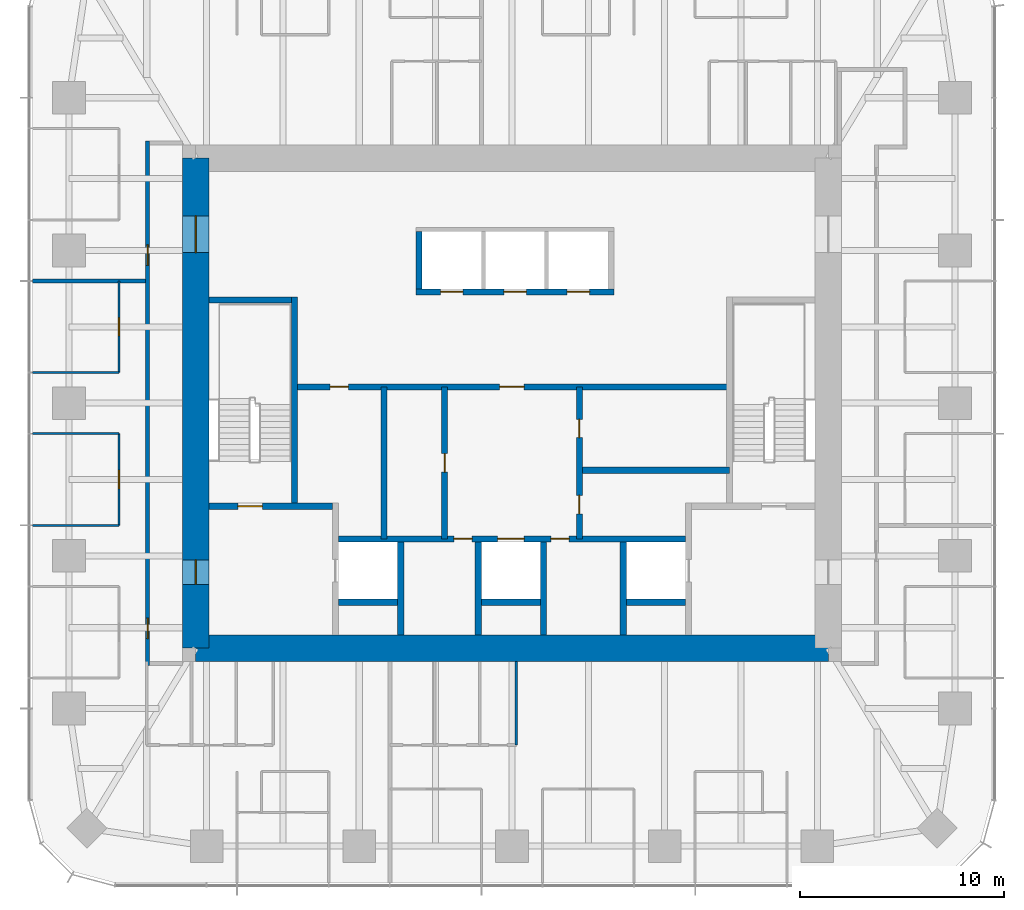
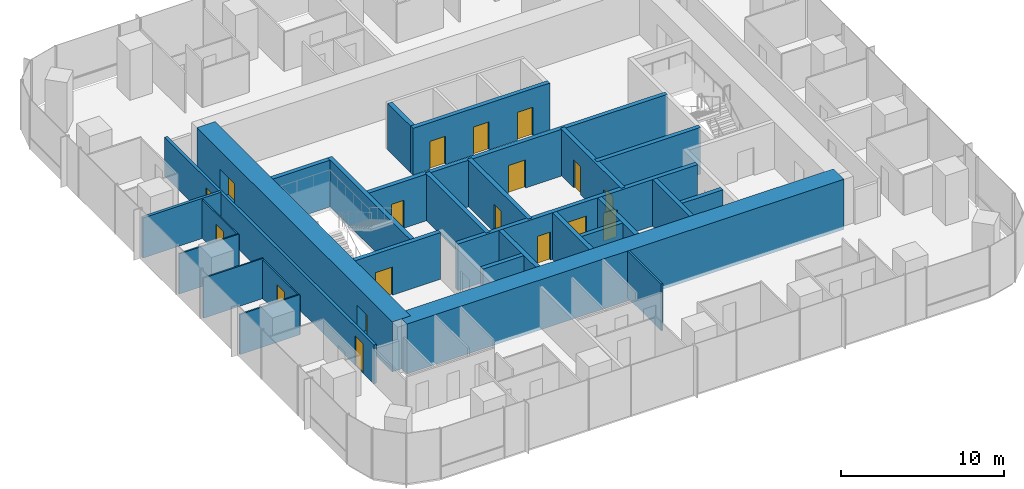
# One storey, part 9 of 12: 28 walls, 18 doors, 18 openings.
"""IFC4 building model written with IfcOpenShell, lengths in metres."""

from ifc_helpers import new_model, si_unit, direction, frame, frame_2d, origin, place, context, subcontext, project, spatial, rectangle, extrude, material, layer, layer_set, type_object, element, fill, save


model = new_model("IFC4")

# Units and contexts
model_context = context("Model", 3, precision=1e-05, world=origin(), true_north=direction((0.0, 1.0)))
body_context = subcontext(model_context, "Body", "Model", "MODEL_VIEW")
ifc_project = project(units=[si_unit("LENGTHUNIT", "METRE"), si_unit("AREAUNIT", "SQUARE_METRE"), si_unit("VOLUMEUNIT", "CUBIC_METRE"), si_unit("PLANEANGLEUNIT", "RADIAN"), si_unit("MASSUNIT", "GRAM", prefix="KILO")], contexts=[model_context])

# Site, building, storey
site_placement = place(None, origin())
site = spatial("IfcSite", under=ifc_project, at=site_placement, CompositionType="ELEMENT")
building_placement = place(site_placement, origin())
building = spatial("IfcBuilding", under=site, at=building_placement, Name="Khuree Lantern Residences", CompositionType="ELEMENT")
storey_placement = place(building_placement, frame((0.0, 0.0, 304.5)))
storey = spatial("IfcBuildingStorey", under=building, at=storey_placement, Name="L76", CompositionType="ELEMENT", Elevation=304.5)

# Wall
ifc_material_1 = material(Name="Moisture-resistant gypsum board on steel studs", Category="steel")
ifc_layer_1 = layer(ifc_material_1, 0.125)
ifc_layer_set_1 = layer_set([ifc_layer_1], Name="BATHROOM WALL BTW125")
wall_type_1 = type_object("IfcWallType", Name="BATHROOM WALL BTW125", PredefinedType="PARTITIONING", material=ifc_layer_set_1)
wall_1_placement = place(storey_placement, frame((0.216064453125, -12.64990234375, 0.0), z_axis=(0.0, 0.0, 1.0), x_axis=(0.0, -1.0, 0.0)))
element("IfcWall", 1, at=wall_1_placement, inside=storey, type_object=wall_type_1, Name="L76 BATHROOM WALL 04", PredefinedType="PARTITIONING", context=body_context, shape_type="SweptSolid", body=[
    extrude(rectangle(XDim=4.096435546875, YDim=0.125, at=frame_2d((2.04833984375, 0.0))), origin(), (0.0, 0.0, 1.0), 3.5),
])

# Wall, openings, doors
ifc_material_2 = material(Name="Dense concrete blockwork", Category="masonry")
ifc_layer_2 = layer(ifc_material_2, 0.300048828125)
ifc_layer_set_2 = layer_set([ifc_layer_2], Name="CORE PARTITION WALL CPW300 EI 120")
wall_type_2 = type_object("IfcWallType", Name="CORE PARTITION WALL CPW300 EI 120", PredefinedType="PARTITIONING", material=ifc_layer_set_2)
wall_2_placement = place(storey_placement, frame((-8.5, -6.64990234375, 0.0), z_axis=(0.0, 0.0, 1.0), x_axis=(1.0, 0.0, 0.0)))
wall_2 = element("IfcWall", 2, at=wall_2_placement, inside=storey, type_object=wall_type_2, Name="L76 CORE WALL FLROW", PredefinedType="PARTITIONING", context=body_context, shape_type="SweptSolid", body=[
    extrude(rectangle(XDim=17.0, YDim=0.300048828125, at=frame_2d((8.5, 0.0))), origin(), (0.0, 0.0, 1.0), 3.5),
])
opening_1_placement = place(wall_2_placement, frame((7.800048828125, 0.0, 0.0)))
opening_1 = element("IfcOpeningElement", 3, at=opening_1_placement, cuts=wall_2, Name="Opening 76-012", PredefinedType="OPENING", context=body_context, shape_type="SweptSolid", body=[
    extrude(rectangle(XDim=1.300048828125, YDim=2.39990234375, at=frame_2d((0.64990234375, 1.199951171875))), frame((0.0, 0.16015625, 0.0), z_axis=(0.0, -1.0, 0.0), x_axis=(1.0, 0.0, 0.0)), (0.0, 0.0, 1.0), 0.320068359375),
])
opening_2_placement = place(wall_2_placement, frame((5.64990234375, 0.0, 0.0)))
opening_2 = element("IfcOpeningElement", 4, at=opening_2_placement, cuts=wall_2, Name="Opening 76-014", PredefinedType="OPENING", context=body_context, shape_type="SweptSolid", body=[
    extrude(rectangle(XDim=0.89990234375, YDim=2.10009765625, at=frame_2d((0.449951171875, 1.050048828125))), frame((0.0, 0.16015625, 0.0), z_axis=(0.0, -1.0, 0.0), x_axis=(1.0, 0.0, 0.0)), (0.0, 0.0, 1.0), 0.320068359375),
])
opening_3_placement = place(wall_2_placement, frame((10.39990234375, 0.0, 0.0)))
opening_3 = element("IfcOpeningElement", 5, at=opening_3_placement, cuts=wall_2, Name="Opening 76-015", PredefinedType="OPENING", context=body_context, shape_type="SweptSolid", body=[
    extrude(rectangle(XDim=0.89990234375, YDim=2.10009765625, at=frame_2d((0.449951171875, 1.050048828125))), frame((0.0, 0.16015625, 0.0), z_axis=(0.0, -1.0, 0.0), x_axis=(1.0, 0.0, 0.0)), (0.0, 0.0, 1.0), 0.320068359375),
])
ifc_material_3 = material(Name="Steel door leaf in steel frame", Category="steel")
door_type_1 = type_object("IfcDoorType", Name="DOOR 900X2100 EI 60", OperationType="SINGLE_SWING_LEFT", PredefinedType="DOOR", material=ifc_material_3)
door_1_placement = place(opening_2_placement, origin())
door_1 = element("IfcDoor", 6, at=door_1_placement, inside=storey, type_object=door_type_1, Name="Refuse chute room door 76-014", OperationType="SINGLE_SWING_LEFT", OverallHeight=2.10009765625, OverallWidth=0.89990234375, PredefinedType="DOOR", context=body_context, shape_type="SweptSolid", body=[
    extrude(rectangle(XDim=0.89990234375, YDim=2.10009765625, at=frame_2d((0.449951171875, 1.050048828125))), frame((0.0, 0.02490234375, 0.0), z_axis=(0.0, -1.0, 0.0), x_axis=(1.0, 0.0, 0.0)), (0.0, 0.0, 1.0), 0.050048828125),
])
fill(opening_2, door_1)
door_type_2 = type_object("IfcDoorType", Name="DOOR 900X2100 EI 60 RIGHT HAND", OperationType="SINGLE_SWING_RIGHT", PredefinedType="DOOR", material=ifc_material_3)
door_2_placement = place(opening_3_placement, origin())
door_2 = element("IfcDoor", 7, at=door_2_placement, inside=storey, type_object=door_type_2, Name="Electrical and plumbing riser door 76-015", OperationType="SINGLE_SWING_RIGHT", OverallHeight=2.10009765625, OverallWidth=0.89990234375, PredefinedType="DOOR", context=body_context, shape_type="SweptSolid", body=[
    extrude(rectangle(XDim=0.89990234375, YDim=2.10009765625, at=frame_2d((0.449951171875, 1.050048828125))), frame((0.0, 0.02490234375, 0.0), z_axis=(0.0, -1.0, 0.0), x_axis=(1.0, 0.0, 0.0)), (0.0, 0.0, 1.0), 0.050048828125),
])
fill(opening_3, door_2)
ifc_material_4 = material(Name="Stainless steel lift landing door", Category="steel")
door_type_3 = type_object("IfcDoorType", Name="LIFT LANDING DOOR 1300X2400 E 60", OperationType="DOUBLE_DOOR_SLIDING", PredefinedType="DOOR", material=ifc_material_4)
door_3_placement = place(opening_1_placement, origin())
door_3 = element("IfcDoor", 8, at=door_3_placement, inside=storey, type_object=door_type_3, Name="Landing door SL1 76-012", OperationType="DOUBLE_DOOR_SLIDING", OverallHeight=2.39990234375, OverallWidth=1.300048828125, PredefinedType="DOOR", context=body_context, shape_type="SweptSolid", body=[
    extrude(rectangle(XDim=1.300048828125, YDim=2.39990234375, at=frame_2d((0.64990234375, 1.199951171875))), frame((0.0, 0.02490234375, 0.0), z_axis=(0.0, -1.0, 0.0), x_axis=(1.0, 0.0, 0.0)), (0.0, 0.0, 1.0), 0.050048828125),
])
fill(opening_1, door_3)

# Walls
for number, where, z_axis, x_axis, name in (
    (9, (-5.449951171875, -11.35009765625, 0.0), (0.0, 0.0, 1.0), (0.0, 1.0, 0.0), "L76 CORE WALL FL1E"),
    (10, (-1.64990234375, -11.35009765625, 0.0), (0.0, 0.0, 1.0), (0.0, 1.0, 0.0), "L76 CORE WALL SL1W"),
    (11, (1.550048828125, -11.35009765625, 0.0), (0.0, 0.0, 1.0), (0.0, 1.0, 0.0), "L76 CORE WALL SL1E"),
    (12, (5.449951171875, -11.35009765625, 0.0), (0.0, 0.0, 1.0), (0.0, 1.0, 0.0), "L76 CORE WALL FL2W"),
):
    element("IfcWall", number, at=place(storey_placement, frame(where, z_axis=z_axis, x_axis=x_axis)), inside=storey, type_object=wall_type_2, Name=name, PredefinedType="PARTITIONING", context=body_context, shape_type="SweptSolid", body=[
        extrude(rectangle(XDim=4.550048828125, YDim=0.300048828125, at=frame_2d((2.27490234375, 0.0))), origin(), (0.0, 0.0, 1.0), 3.5),
    ])
for number, where, z_axis, x_axis, name in (
    (13, (-8.5, -9.75, 0.0), (0.0, 0.0, 1.0), (1.0, 0.0, 0.0), "L76 CORE WALL FL1S"),
    (14, (-1.5, -9.75, 0.0), (0.0, 0.0, 1.0), (1.0, 0.0, 0.0), "L76 CORE WALL SL1S"),
    (15, (5.60009765625, -9.75, 0.0), (0.0, 0.0, 1.0), (1.0, 0.0, 0.0), "L76 CORE WALL FL2S"),
):
    element("IfcWall", number, at=place(storey_placement, frame(where, z_axis=z_axis, x_axis=x_axis)), inside=storey, type_object=wall_type_2, Name=name, PredefinedType="PARTITIONING", context=body_context, shape_type="SweptSolid", body=[
        extrude(rectangle(XDim=2.89990234375, YDim=0.300048828125, at=frame_2d((1.449951171875, 0.0))), origin(), (0.0, 0.0, 1.0), 3.5),
    ])

# Wall, openings, doors
wall_3_placement = place(storey_placement, frame((-4.699951171875, 5.449951171875, 0.0), z_axis=(0.0, 0.0, 1.0), x_axis=(1.0, 0.0, 0.0)))
wall_3 = element("IfcWall", 16, at=wall_3_placement, inside=storey, type_object=wall_type_2, Name="L76 CORE WALL PHS", PredefinedType="PARTITIONING", context=body_context, shape_type="SweptSolid", body=[
    extrude(rectangle(XDim=9.699951171875, YDim=0.300048828125, at=frame_2d((4.85009765625, 0.0))), origin(), (0.0, 0.0, 1.0), 3.5),
])
opening_4_placement = place(wall_3_placement, frame((1.199951171875, 0.0, 0.0)))
opening_4 = element("IfcOpeningElement", 17, at=opening_4_placement, cuts=wall_3, Name="Opening 76-009", PredefinedType="OPENING", context=body_context, shape_type="SweptSolid", body=[
    extrude(rectangle(XDim=1.10009765625, YDim=2.10009765625, at=frame_2d((0.550048828125, 1.050048828125))), frame((0.0, 0.16015625, 0.0), z_axis=(0.0, -1.0, 0.0), x_axis=(1.0, 0.0, 0.0)), (0.0, 0.0, 1.0), 0.320068359375),
])
opening_5_placement = place(wall_3_placement, frame((4.300048828125, 0.0, 0.0)))
opening_5 = element("IfcOpeningElement", 18, at=opening_5_placement, cuts=wall_3, Name="Opening 76-010", PredefinedType="OPENING", context=body_context, shape_type="SweptSolid", body=[
    extrude(rectangle(XDim=1.10009765625, YDim=2.10009765625, at=frame_2d((0.550048828125, 1.050048828125))), frame((0.0, 0.16015625, 0.0), z_axis=(0.0, -1.0, 0.0), x_axis=(1.0, 0.0, 0.0)), (0.0, 0.0, 1.0), 0.320068359375),
])
opening_6_placement = place(wall_3_placement, frame((7.39990234375, 0.0, 0.0)))
opening_6 = element("IfcOpeningElement", 19, at=opening_6_placement, cuts=wall_3, Name="Opening 76-011", PredefinedType="OPENING", context=body_context, shape_type="SweptSolid", body=[
    extrude(rectangle(XDim=1.10009765625, YDim=2.10009765625, at=frame_2d((0.550048828125, 1.050048828125))), frame((0.0, 0.16015625, 0.0), z_axis=(0.0, -1.0, 0.0), x_axis=(1.0, 0.0, 0.0)), (0.0, 0.0, 1.0), 0.320068359375),
])
door_type_4 = type_object("IfcDoorType", Name="LIFT LANDING DOOR 1100X2100 E 60", OperationType="DOUBLE_DOOR_SLIDING", PredefinedType="DOOR", material=ifc_material_4)
door_4_placement = place(opening_4_placement, origin())
door_4 = element("IfcDoor", 20, at=door_4_placement, inside=storey, type_object=door_type_4, Name="Landing door PH1 76-009", OperationType="DOUBLE_DOOR_SLIDING", OverallHeight=2.10009765625, OverallWidth=1.10009765625, PredefinedType="DOOR", context=body_context, shape_type="SweptSolid", body=[
    extrude(rectangle(XDim=1.10009765625, YDim=2.10009765625, at=frame_2d((0.550048828125, 1.050048828125))), frame((0.0, 0.02490234375, 0.0), z_axis=(0.0, -1.0, 0.0), x_axis=(1.0, 0.0, 0.0)), (0.0, 0.0, 1.0), 0.050048828125),
])
fill(opening_4, door_4)
door_5_placement = place(opening_5_placement, origin())
door_5 = element("IfcDoor", 21, at=door_5_placement, inside=storey, type_object=door_type_4, Name="Landing door PH2 76-010", OperationType="DOUBLE_DOOR_SLIDING", OverallHeight=2.10009765625, OverallWidth=1.10009765625, PredefinedType="DOOR", context=body_context, shape_type="SweptSolid", body=[
    extrude(rectangle(XDim=1.10009765625, YDim=2.10009765625, at=frame_2d((0.550048828125, 1.050048828125))), frame((0.0, 0.02490234375, 0.0), z_axis=(0.0, -1.0, 0.0), x_axis=(1.0, 0.0, 0.0)), (0.0, 0.0, 1.0), 0.050048828125),
])
fill(opening_5, door_5)
door_6_placement = place(opening_6_placement, origin())
door_6 = element("IfcDoor", 22, at=door_6_placement, inside=storey, type_object=door_type_4, Name="Landing door PH3 76-011", OperationType="DOUBLE_DOOR_SLIDING", OverallHeight=2.10009765625, OverallWidth=1.10009765625, PredefinedType="DOOR", context=body_context, shape_type="SweptSolid", body=[
    extrude(rectangle(XDim=1.10009765625, YDim=2.10009765625, at=frame_2d((0.550048828125, 1.050048828125))), frame((0.0, 0.02490234375, 0.0), z_axis=(0.0, -1.0, 0.0), x_axis=(1.0, 0.0, 0.0)), (0.0, 0.0, 1.0), 0.050048828125),
])
fill(opening_6, door_6)

# Wall
wall_4_placement = place(storey_placement, frame((-4.550048828125, 5.60009765625, 0.0), z_axis=(0.0, 0.0, 1.0), x_axis=(0.0, 1.0, 0.0)))
element("IfcWall", 23, at=wall_4_placement, inside=storey, type_object=wall_type_2, Name="L76 CORE WALL PHW", PredefinedType="PARTITIONING", context=body_context, shape_type="SweptSolid", body=[
    extrude(rectangle(XDim=2.7998046875, YDim=0.300048828125, at=frame_2d((1.39990234375, 0.0))), origin(), (0.0, 0.0, 1.0), 3.5),
])

# Wall, openings, doors
wall_5_placement = place(storey_placement, frame((-10.64990234375, 0.800048828125, 0.0), z_axis=(0.0, 0.0, 1.0), x_axis=(1.0, 0.0, 0.0)))
wall_5 = element("IfcWall", 24, at=wall_5_placement, inside=storey, type_object=wall_type_2, Name="L76 CORE WALL LLS", PredefinedType="PARTITIONING", context=body_context, shape_type="SweptSolid", body=[
    extrude(rectangle(XDim=21.2998046875, YDim=0.300048828125, at=frame_2d((10.64990234375, 0.0))), origin(), (0.0, 0.0, 1.0), 3.5),
])
opening_7_placement = place(wall_5_placement, frame((10.050048828125, 0.0, 0.0)))
opening_7 = element("IfcOpeningElement", 25, at=opening_7_placement, cuts=wall_5, Name="Opening 76-013", PredefinedType="OPENING", context=body_context, shape_type="SweptSolid", body=[
    extrude(rectangle(XDim=1.199951171875, YDim=2.10009765625, at=frame_2d((0.60009765625, 1.050048828125))), frame((0.0, 0.16015625, 0.0), z_axis=(0.0, -1.0, 0.0), x_axis=(1.0, 0.0, 0.0)), (0.0, 0.0, 1.0), 0.320068359375),
])
opening_8_placement = place(wall_5_placement, frame((1.739990234375, 0.0, 0.0)))
opening_8 = element("IfcOpeningElement", 26, at=opening_8_placement, cuts=wall_5, Name="Opening 76-017", PredefinedType="OPENING", context=body_context, shape_type="SweptSolid", body=[
    extrude(rectangle(XDim=0.89990234375, YDim=2.10009765625, at=frame_2d((0.449951171875, 1.050048828125))), frame((0.0, 0.16015625, 0.0), z_axis=(0.0, -1.0, 0.0), x_axis=(1.0, 0.0, 0.0)), (0.0, 0.0, 1.0), 0.320068359375),
])
door_type_5 = type_object("IfcDoorType", Name="DOOR 1200X2100 EI 60", OperationType="SINGLE_SWING_LEFT", PredefinedType="DOOR", material=ifc_material_3)
door_7_placement = place(opening_7_placement, origin())
door_7 = element("IfcDoor", 27, at=door_7_placement, inside=storey, type_object=door_type_5, Name="Service lift lobby door 76-013", OperationType="SINGLE_SWING_LEFT", OverallHeight=2.10009765625, OverallWidth=1.199951171875, PredefinedType="DOOR", context=body_context, shape_type="SweptSolid", body=[
    extrude(rectangle(XDim=1.199951171875, YDim=2.10009765625, at=frame_2d((0.60009765625, 1.050048828125))), frame((0.0, 0.02490234375, 0.0), z_axis=(0.0, -1.0, 0.0), x_axis=(1.0, 0.0, 0.0)), (0.0, 0.0, 1.0), 0.050048828125),
])
fill(opening_7, door_7)
ifc_material_5 = material(Name="Timber door leaf in hardwood frame", Category="wood")
door_type_6 = type_object("IfcDoorType", Name="DOOR 900X2100", OperationType="SINGLE_SWING_LEFT", PredefinedType="DOOR", material=ifc_material_5)
door_8_placement = place(opening_8_placement, origin())
door_8 = element("IfcDoor", 28, at=door_8_placement, inside=storey, type_object=door_type_6, Name="Residents' store door 76-017", OperationType="SINGLE_SWING_LEFT", OverallHeight=2.10009765625, OverallWidth=0.89990234375, PredefinedType="DOOR", context=body_context, shape_type="SweptSolid", body=[
    extrude(rectangle(XDim=0.89990234375, YDim=2.10009765625, at=frame_2d((0.449951171875, 1.050048828125))), frame((0.0, 0.02490234375, 0.0), z_axis=(0.0, -1.0, 0.0), x_axis=(1.0, 0.0, 0.0)), (0.0, 0.0, 1.0), 0.050048828125),
])
fill(opening_8, door_8)

# Wall, opening, door
wall_6_placement = place(storey_placement, frame((-3.300048828125, -6.64990234375, 0.0), z_axis=(0.0, 0.0, 1.0), x_axis=(0.0, 1.0, 0.0)))
wall_6 = element("IfcWall", 29, at=wall_6_placement, inside=storey, type_object=wall_type_2, Name="L76 CORE WALL SVW", PredefinedType="PARTITIONING", context=body_context, shape_type="SweptSolid", body=[
    extrude(rectangle(XDim=7.449951171875, YDim=0.300048828125, at=frame_2d((3.72509765625, 0.0))), origin(), (0.0, 0.0, 1.0), 3.5),
])
opening_9_placement = place(wall_6_placement, frame((3.27490234375, 0.0, 0.0)))
opening_9 = element("IfcOpeningElement", 30, at=opening_9_placement, cuts=wall_6, Name="Opening 76-016", PredefinedType="OPENING", context=body_context, shape_type="SweptSolid", body=[
    extrude(rectangle(XDim=0.89990234375, YDim=2.10009765625, at=frame_2d((0.449951171875, 1.050048828125))), frame((0.0, 0.16015625, 0.0), z_axis=(0.0, -1.0, 0.0), x_axis=(1.0, 0.0, 0.0)), (0.0, 0.0, 1.0), 0.320068359375),
])
door_9_placement = place(opening_9_placement, origin())
door_9 = element("IfcDoor", 31, at=door_9_placement, inside=storey, type_object=door_type_6, Name="Parcel room door 76-016", OperationType="SINGLE_SWING_LEFT", OverallHeight=2.10009765625, OverallWidth=0.89990234375, PredefinedType="DOOR", context=body_context, shape_type="SweptSolid", body=[
    extrude(rectangle(XDim=0.89990234375, YDim=2.10009765625, at=frame_2d((0.449951171875, 1.050048828125))), frame((0.0, 0.02490234375, 0.0), z_axis=(0.0, -1.0, 0.0), x_axis=(1.0, 0.0, 0.0)), (0.0, 0.0, 1.0), 0.050048828125),
])
fill(opening_9, door_9)

# Wall, openings, doors
wall_7_placement = place(storey_placement, frame((3.300048828125, -6.64990234375, 0.0), z_axis=(0.0, 0.0, 1.0), x_axis=(0.0, 1.0, 0.0)))
wall_7 = element("IfcWall", 32, at=wall_7_placement, inside=storey, type_object=wall_type_2, Name="L76 CORE WALL SVE", PredefinedType="PARTITIONING", context=body_context, shape_type="SweptSolid", body=[
    extrude(rectangle(XDim=7.449951171875, YDim=0.300048828125, at=frame_2d((3.72509765625, 0.0))), origin(), (0.0, 0.0, 1.0), 3.5),
])
opening_10_placement = place(wall_7_placement, frame((1.23095703125, 0.0, 0.0)))
opening_10 = element("IfcOpeningElement", 33, at=opening_10_placement, cuts=wall_7, Name="Opening 76-018", PredefinedType="OPENING", context=body_context, shape_type="SweptSolid", body=[
    extrude(rectangle(XDim=0.89990234375, YDim=2.10009765625, at=frame_2d((0.449951171875, 1.050048828125))), frame((0.0, 0.16015625, 0.0), z_axis=(0.0, -1.0, 0.0), x_axis=(1.0, 0.0, 0.0)), (0.0, 0.0, 1.0), 0.320068359375),
])
opening_11_placement = place(wall_7_placement, frame((4.9560546875, 0.0, 0.0)))
opening_11 = element("IfcOpeningElement", 34, at=opening_11_placement, cuts=wall_7, Name="Opening 76-019", PredefinedType="OPENING", context=body_context, shape_type="SweptSolid", body=[
    extrude(rectangle(XDim=0.89990234375, YDim=2.10009765625, at=frame_2d((0.449951171875, 1.050048828125))), frame((0.0, 0.16015625, 0.0), z_axis=(0.0, -1.0, 0.0), x_axis=(1.0, 0.0, 0.0)), (0.0, 0.0, 1.0), 0.320068359375),
])
door_10_placement = place(opening_10_placement, origin())
door_10 = element("IfcDoor", 35, at=door_10_placement, inside=storey, type_object=door_type_6, Name="Parcel room door 76-018", OperationType="SINGLE_SWING_LEFT", OverallHeight=2.10009765625, OverallWidth=0.89990234375, PredefinedType="DOOR", context=body_context, shape_type="SweptSolid", body=[
    extrude(rectangle(XDim=0.89990234375, YDim=2.10009765625, at=frame_2d((0.449951171875, 1.050048828125))), frame((0.0, 0.02490234375, 0.0), z_axis=(0.0, -1.0, 0.0), x_axis=(1.0, 0.0, 0.0)), (0.0, 0.0, 1.0), 0.050048828125),
])
fill(opening_10, door_10)
door_type_7 = type_object("IfcDoorType", Name="DOOR 900X2100 RIGHT HAND", OperationType="SINGLE_SWING_RIGHT", PredefinedType="DOOR", material=ifc_material_5)
door_11_placement = place(opening_11_placement, origin())
door_11 = element("IfcDoor", 36, at=door_11_placement, inside=storey, type_object=door_type_7, Name="Residents' store door 76-019", OperationType="SINGLE_SWING_RIGHT", OverallHeight=2.10009765625, OverallWidth=0.89990234375, PredefinedType="DOOR", context=body_context, shape_type="SweptSolid", body=[
    extrude(rectangle(XDim=0.89990234375, YDim=2.10009765625, at=frame_2d((0.449951171875, 1.050048828125))), frame((0.0, 0.02490234375, 0.0), z_axis=(0.0, -1.0, 0.0), x_axis=(1.0, 0.0, 0.0)), (0.0, 0.0, 1.0), 0.050048828125),
])
fill(opening_11, door_11)

# Walls
wall_8_placement = place(storey_placement, frame((-6.27001953125, -6.64990234375, 0.0), z_axis=(0.0, 0.0, 1.0), x_axis=(0.0, 1.0, 0.0)))
element("IfcWall", 37, at=wall_8_placement, inside=storey, type_object=wall_type_2, Name="L76 CORE WALL WV", PredefinedType="PARTITIONING", context=body_context, shape_type="SweptSolid", body=[
    extrude(rectangle(XDim=7.449951171875, YDim=0.300048828125, at=frame_2d((3.72509765625, 0.0))), origin(), (0.0, 0.0, 1.0), 3.5),
])
wall_9_placement = place(storey_placement, frame((10.64990234375, -3.2880859375, 0.0), z_axis=(0.0, 0.0, 1.0), x_axis=(-1.0, 0.0, 0.0)))
element("IfcWall", 38, at=wall_9_placement, inside=storey, type_object=wall_type_2, Name="L76 CORE WALL EX", PredefinedType="PARTITIONING", context=body_context, shape_type="SweptSolid", body=[
    extrude(rectangle(XDim=7.349853515625, YDim=0.300048828125, at=frame_2d((3.6748046875, 0.0))), origin(), (0.0, 0.0, 1.0), 3.5),
])

# Wall, openings, doors
ifc_material_6 = material(Name="Gypsum board on steel studs", Category="steel")
ifc_layer_3 = layer(ifc_material_6, 0.199951171875)
ifc_layer_set_3 = layer_set([ifc_layer_3], Name="CORRIDOR WALL CRW200 EI 60")
wall_type_3 = type_object("IfcWallType", Name="CORRIDOR WALL CRW200 EI 60", PredefinedType="PARTITIONING", material=ifc_layer_set_3)
wall_10_placement = place(storey_placement, frame((-17.85009765625, 12.85009765625, 0.0), z_axis=(0.0, 0.0, 1.0), x_axis=(0.0, -1.0, 0.0)))
wall_10 = element("IfcWall", 39, at=wall_10_placement, inside=storey, type_object=wall_type_3, Name="L76 CORRIDOR WALL WEST 1", PredefinedType="PARTITIONING", context=body_context, shape_type="SweptSolid", body=[
    extrude(rectangle(XDim=25.7001953125, YDim=0.199951171875, at=frame_2d((12.85009765625, 0.0))), origin(), (0.0, 0.0, 1.0), 2.89990234375),
])
opening_12_placement = place(wall_10_placement, frame((5.10009765625, 0.0, 0.0)))
opening_12 = element("IfcOpeningElement", 40, at=opening_12_placement, cuts=wall_10, Name="Opening 76-035", PredefinedType="OPENING", context=body_context, shape_type="SweptSolid", body=[
    extrude(rectangle(XDim=1.0, YDim=2.199951171875, at=frame_2d((0.5, 1.10009765625))), frame((0.0, 0.10986328125, 0.0), z_axis=(0.0, -1.0, 0.0), x_axis=(1.0, 0.0, 0.0)), (0.0, 0.0, 1.0), 0.219970703125),
])
opening_13_placement = place(wall_10_placement, frame((23.385986328125, 0.0, 0.0)))
opening_13 = element("IfcOpeningElement", 41, at=opening_13_placement, cuts=wall_10, Name="Opening 76-044", PredefinedType="OPENING", context=body_context, shape_type="SweptSolid", body=[
    extrude(rectangle(XDim=1.0, YDim=2.199951171875, at=frame_2d((0.5, 1.10009765625))), frame((0.0, 0.10986328125, 0.0), z_axis=(0.0, -1.0, 0.0), x_axis=(1.0, 0.0, 0.0)), (0.0, 0.0, 1.0), 0.219970703125),
])
door_type_8 = type_object("IfcDoorType", Name="APARTMENT ENTRANCE DOOR 1000X2200 EI 30S", OperationType="SINGLE_SWING_LEFT", PredefinedType="DOOR", material=ifc_material_5)
door_12_placement = place(opening_12_placement, origin())
door_12 = element("IfcDoor", 42, at=door_12_placement, inside=storey, type_object=door_type_8, Name="Apartment 02 entrance door 76-035", OperationType="SINGLE_SWING_LEFT", OverallHeight=2.199951171875, OverallWidth=1.0, PredefinedType="DOOR", context=body_context, shape_type="SweptSolid", body=[
    extrude(rectangle(XDim=1.0, YDim=2.199951171875, at=frame_2d((0.5, 1.10009765625))), frame((0.0, 0.02490234375, 0.0), z_axis=(0.0, -1.0, 0.0), x_axis=(1.0, 0.0, 0.0)), (0.0, 0.0, 1.0), 0.050048828125),
])
fill(opening_12, door_12)
door_type_9 = type_object("IfcDoorType", Name="APARTMENT ENTRANCE DOOR 1000X2200 EI 30S RIGHT HAND", OperationType="SINGLE_SWING_RIGHT", PredefinedType="DOOR", material=ifc_material_5)
door_13_placement = place(opening_13_placement, origin())
door_13 = element("IfcDoor", 43, at=door_13_placement, inside=storey, type_object=door_type_9, Name="Apartment 03 entrance door 76-044", OperationType="SINGLE_SWING_RIGHT", OverallHeight=2.199951171875, OverallWidth=1.0, PredefinedType="DOOR", context=body_context, shape_type="SweptSolid", body=[
    extrude(rectangle(XDim=1.0, YDim=2.199951171875, at=frame_2d((0.5, 1.10009765625))), frame((0.0, 0.02490234375, 0.0), z_axis=(0.0, -1.0, 0.0), x_axis=(1.0, 0.0, 0.0)), (0.0, 0.0, 1.0), 0.050048828125),
])
fill(opening_13, door_13)

# Wall
ifc_material_7 = material(Name="Concrete C50/60", Category="concrete")
ifc_layer_4 = layer(ifc_material_7, 1.300048828125)
ifc_layer_set_4 = layer_set([ifc_layer_4], Name="CW1300-C50 CORE WALL C50 1300")
wall_type_4 = type_object("IfcWallType", Name="CW1300-C50 CORE WALL C50 1300", PredefinedType="SHEAR", material=ifc_layer_set_4)
wall_11_placement = place(storey_placement, frame((-15.5, -12.0, -0.25), z_axis=(0.0, 0.0, 1.0), x_axis=(1.0, 0.0, 0.0)))
element("IfcWall", 44, at=wall_11_placement, inside=storey, type_object=wall_type_4, Name="Core wall S", PredefinedType="SHEAR", context=body_context, shape_type="SweptSolid", body=[
    extrude(rectangle(XDim=31.0, YDim=1.300048828125, at=frame_2d((15.5, 0.0))), origin(), (0.0, 0.0, 1.0), 3.75),
])

# Wall, openings, doors
wall_12_placement = place(storey_placement, frame((-15.5, -12.0, -0.25), z_axis=(0.0, 0.0, 1.0), x_axis=(0.0, 1.0, 0.0)))
wall_12 = element("IfcWall", 45, at=wall_12_placement, inside=storey, type_object=wall_type_4, Name="Core wall W", PredefinedType="SHEAR", context=body_context, shape_type="SweptSolid", body=[
    extrude(rectangle(XDim=24.0, YDim=1.300048828125, at=frame_2d((12.0, 0.0))), origin(), (0.0, 0.0, 1.0), 3.75),
])
opening_14_placement = place(wall_12_placement, frame((3.125, 0.0, 0.25)))
opening_14 = element("IfcOpeningElement", 46, at=opening_14_placement, cuts=wall_12, Name="Opening 76-002", PredefinedType="OPENING", context=body_context, shape_type="SweptSolid", body=[
    extrude(rectangle(XDim=1.199951171875, YDim=2.10009765625, at=frame_2d((0.60009765625, 1.050048828125))), frame((0.0, 0.66015625, 0.0), z_axis=(0.0, -1.0, 0.0), x_axis=(1.0, 0.0, 0.0)), (0.0, 0.0, 1.0), 1.320068359375),
])
opening_15_placement = place(wall_12_placement, frame((19.375, 0.0, 0.25)))
opening_15 = element("IfcOpeningElement", 47, at=opening_15_placement, cuts=wall_12, Name="Opening 76-003", PredefinedType="OPENING", context=body_context, shape_type="SweptSolid", body=[
    extrude(rectangle(XDim=1.800048828125, YDim=2.10009765625, at=frame_2d((0.89990234375, 1.050048828125))), frame((0.0, 0.66015625, 0.0), z_axis=(0.0, -1.0, 0.0), x_axis=(1.0, 0.0, 0.0)), (0.0, 0.0, 1.0), 1.320068359375),
])
door_type_10 = type_object("IfcDoorType", Name="LOBBY DOOR 1200X2100 EI 120", OperationType="SINGLE_SWING_LEFT", PredefinedType="DOOR", material=ifc_material_3)
door_14_placement = place(opening_14_placement, origin())
door_14 = element("IfcDoor", 48, at=door_14_placement, inside=storey, type_object=door_type_10, Name="Firefighting lobby door 76-002", OperationType="SINGLE_SWING_LEFT", OverallHeight=2.10009765625, OverallWidth=1.199951171875, PredefinedType="DOOR", context=body_context, shape_type="SweptSolid", body=[
    extrude(rectangle(XDim=1.199951171875, YDim=2.10009765625, at=frame_2d((0.60009765625, 1.050048828125))), frame((0.0, 0.02490234375, 0.0), z_axis=(0.0, -1.0, 0.0), x_axis=(1.0, 0.0, 0.0)), (0.0, 0.0, 1.0), 0.050048828125),
])
fill(opening_14, door_14)
door_type_11 = type_object("IfcDoorType", Name="LOBBY DOUBLE DOOR 1800X2100 EI 60", OperationType="DOUBLE_DOOR_SINGLE_SWING", PredefinedType="DOOR", material=ifc_material_3)
door_15_placement = place(opening_15_placement, origin())
door_15 = element("IfcDoor", 49, at=door_15_placement, inside=storey, type_object=door_type_11, Name="Lift lobby door 76-003", OperationType="DOUBLE_DOOR_SINGLE_SWING", OverallHeight=2.10009765625, OverallWidth=1.800048828125, PredefinedType="DOOR", context=body_context, shape_type="SweptSolid", body=[
    extrude(rectangle(XDim=1.800048828125, YDim=2.10009765625, at=frame_2d((0.89990234375, 1.050048828125))), frame((0.0, 0.02490234375, 0.0), z_axis=(0.0, -1.0, 0.0), x_axis=(1.0, 0.0, 0.0)), (0.0, 0.0, 1.0), 0.050048828125),
])
fill(opening_15, door_15)

# Walls
ifc_layer_5 = layer(ifc_material_6, 0.199951171875)
ifc_layer_set_5 = layer_set([ifc_layer_5], Name="DEMISING WALL DMW200 EI 90")
wall_type_5 = type_object("IfcWallType", Name="DEMISING WALL DMW200 EI 90", PredefinedType="PARTITIONING", material=ifc_layer_set_5)
wall_13_placement = place(storey_placement, frame((-17.949951171875, 5.98388671875, 0.0), z_axis=(0.0, 0.0, 1.0), x_axis=(-1.0, 0.0, 0.0)))
element("IfcWall", 50, at=wall_13_placement, inside=storey, type_object=wall_type_5, Name="L76 DEMISING WALL 03", PredefinedType="PARTITIONING", context=body_context, shape_type="SweptSolid", body=[
    extrude(rectangle(XDim=5.550048828125, YDim=0.199951171875, at=frame_2d((2.77490234375, 0.0))), origin(), (0.0, 0.0, 1.0), 3.010009765625),
])
ifc_layer_6 = layer(ifc_material_6, 0.10009765625)
ifc_layer_set_6 = layer_set([ifc_layer_6], Name="PARTITION PT100")
wall_type_6 = type_object("IfcWallType", Name="PARTITION PT100", PredefinedType="PARTITIONING", material=ifc_layer_set_6)
for number, where, z_axis, x_axis, name in (
    (51, (-19.25, 1.49609375, 0.0), (0.0, 0.0, 1.0), (-1.0, 0.0, 0.0), "L76 PARTITION 03"),
    (52, (-19.25, -1.49609375, 0.0), (0.0, 0.0, 1.0), (-1.0, 0.0, 0.0), "L76 PARTITION 03"),
    (53, (-19.25, -5.98388671875, 0.0), (0.0, 0.0, 1.0), (-1.0, 0.0, 0.0), "L76 PARTITION 03"),
):
    element("IfcWall", number, at=place(storey_placement, frame(where, z_axis=z_axis, x_axis=x_axis)), inside=storey, type_object=wall_type_6, Name=name, PredefinedType="PARTITIONING", context=body_context, shape_type="SweptSolid", body=[
        extrude(rectangle(XDim=4.25, YDim=0.10009765625, at=frame_2d((2.125, 0.0))), origin(), (0.0, 0.0, 1.0), 3.010009765625),
    ])

# Wall, opening, door
wall_14_placement = place(storey_placement, frame((-19.25, 5.98388671875, 0.0), z_axis=(0.0, 0.0, 1.0), x_axis=(0.0, -1.0, 0.0)))
wall_14 = element("IfcWall", 54, at=wall_14_placement, inside=storey, type_object=wall_type_6, Name="L76 PARTITION 03", PredefinedType="PARTITIONING", context=body_context, shape_type="SweptSolid", body=[
    extrude(rectangle(XDim=4.48779296875, YDim=0.10009765625, at=frame_2d((2.243896484375, 0.0))), origin(), (0.0, 0.0, 1.0), 2.909912109375),
])
opening_16_placement = place(wall_14_placement, frame((1.7939453125, 0.0, 0.0)))
opening_16 = element("IfcOpeningElement", 55, at=opening_16_placement, cuts=wall_14, Name="Opening 76-036", PredefinedType="OPENING", context=body_context, shape_type="SweptSolid", body=[
    extrude(rectangle(XDim=0.89990234375, YDim=2.10009765625, at=frame_2d((0.449951171875, 1.050048828125))), frame((0.0, 0.06005859375, 0.0), z_axis=(0.0, -1.0, 0.0), x_axis=(1.0, 0.0, 0.0)), (0.0, 0.0, 1.0), 0.1201171875),
])
door_type_12 = type_object("IfcDoorType", Name="BEDROOM DOOR 900X2100", OperationType="SINGLE_SWING_LEFT", PredefinedType="DOOR", material=ifc_material_5)
door_16_placement = place(opening_16_placement, origin())
door_16 = element("IfcDoor", 56, at=door_16_placement, inside=storey, type_object=door_type_12, Name="Bedroom door 76-036", OperationType="SINGLE_SWING_LEFT", OverallHeight=2.10009765625, OverallWidth=0.89990234375, PredefinedType="DOOR", context=body_context, shape_type="SweptSolid", body=[
    extrude(rectangle(XDim=0.89990234375, YDim=2.10009765625, at=frame_2d((0.449951171875, 1.050048828125))), frame((0.0, 0.02490234375, 0.0), z_axis=(0.0, -1.0, 0.0), x_axis=(1.0, 0.0, 0.0)), (0.0, 0.0, 1.0), 0.050048828125),
])
fill(opening_16, door_16)

wall_15_placement = place(storey_placement, frame((-19.25, -1.49609375, 0.0), z_axis=(0.0, 0.0, 1.0), x_axis=(0.0, -1.0, 0.0)))
wall_15 = element("IfcWall", 57, at=wall_15_placement, inside=storey, type_object=wall_type_6, Name="L76 PARTITION 03", PredefinedType="PARTITIONING", context=body_context, shape_type="SweptSolid", body=[
    extrude(rectangle(XDim=4.48779296875, YDim=0.10009765625, at=frame_2d((2.243896484375, 0.0))), origin(), (0.0, 0.0, 1.0), 2.909912109375),
])
opening_17_placement = place(wall_15_placement, frame((1.7939453125, 0.0, 0.0)))
opening_17 = element("IfcOpeningElement", 58, at=opening_17_placement, cuts=wall_15, Name="Opening 76-037", PredefinedType="OPENING", context=body_context, shape_type="SweptSolid", body=[
    extrude(rectangle(XDim=0.89990234375, YDim=2.10009765625, at=frame_2d((0.449951171875, 1.050048828125))), frame((0.0, 0.06005859375, 0.0), z_axis=(0.0, -1.0, 0.0), x_axis=(1.0, 0.0, 0.0)), (0.0, 0.0, 1.0), 0.1201171875),
])
door_17_placement = place(opening_17_placement, origin())
door_17 = element("IfcDoor", 59, at=door_17_placement, inside=storey, type_object=door_type_12, Name="Bedroom door 76-037", OperationType="SINGLE_SWING_LEFT", OverallHeight=2.10009765625, OverallWidth=0.89990234375, PredefinedType="DOOR", context=body_context, shape_type="SweptSolid", body=[
    extrude(rectangle(XDim=0.89990234375, YDim=2.10009765625, at=frame_2d((0.449951171875, 1.050048828125))), frame((0.0, 0.02490234375, 0.0), z_axis=(0.0, -1.0, 0.0), x_axis=(1.0, 0.0, 0.0)), (0.0, 0.0, 1.0), 0.050048828125),
])
fill(opening_17, door_17)

# Wall
ifc_layer_7 = layer(ifc_material_7, 0.300048828125)
ifc_layer_set_7 = layer_set([ifc_layer_7], Name="STAIR WALL SRW300 C50/60 REI 240")
wall_type_7 = type_object("IfcWallType", Name="STAIR WALL SRW300 C50/60 REI 240", PredefinedType="SOLIDWALL", material=ifc_layer_set_7)
wall_16_placement = place(storey_placement, frame((-10.64990234375, -4.89990234375, 0.0), z_axis=(0.0, 0.0, 1.0), x_axis=(0.0, 1.0, 0.0)))
element("IfcWall", 60, at=wall_16_placement, inside=storey, type_object=wall_type_7, Name="L76 STAIR WALL ST1E", PredefinedType="SOLIDWALL", context=body_context, shape_type="SweptSolid", body=[
    extrude(rectangle(XDim=10.099853515625, YDim=0.300048828125, at=frame_2d((5.0498046875, 0.0))), origin(), (0.0, 0.0, 1.0), 3.5),
])

# Wall, opening, door
wall_17_placement = place(storey_placement, frame((-14.85009765625, -5.050048828125, 0.0), z_axis=(0.0, 0.0, 1.0), x_axis=(1.0, 0.0, 0.0)))
wall_17 = element("IfcWall", 61, at=wall_17_placement, inside=storey, type_object=wall_type_7, Name="L76 STAIR WALL ST1S", PredefinedType="SOLIDWALL", context=body_context, shape_type="SweptSolid", body=[
    extrude(rectangle(XDim=6.050048828125, YDim=0.300048828125, at=frame_2d((3.02490234375, 0.0))), origin(), (0.0, 0.0, 1.0), 3.5),
])
opening_18_placement = place(wall_17_placement, frame((1.425048828125, 0.0, 0.0)))
opening_18 = element("IfcOpeningElement", 62, at=opening_18_placement, cuts=wall_17, Name="Opening 76-001", PredefinedType="OPENING", context=body_context, shape_type="SweptSolid", body=[
    extrude(rectangle(XDim=1.199951171875, YDim=2.10009765625, at=frame_2d((0.60009765625, 1.050048828125))), frame((0.0, 0.16015625, 0.0), z_axis=(0.0, -1.0, 0.0), x_axis=(1.0, 0.0, 0.0)), (0.0, 0.0, 1.0), 0.320068359375),
])
door_type_13 = type_object("IfcDoorType", Name="STAIR DOOR 1200X2100 EI 120", OperationType="SINGLE_SWING_LEFT", PredefinedType="DOOR", material=ifc_material_3)
door_18_placement = place(opening_18_placement, origin())
door_18 = element("IfcDoor", 63, at=door_18_placement, inside=storey, type_object=door_type_13, Name="Stair ST1 door 76-001", OperationType="SINGLE_SWING_LEFT", OverallHeight=2.10009765625, OverallWidth=1.199951171875, PredefinedType="DOOR", context=body_context, shape_type="SweptSolid", body=[
    extrude(rectangle(XDim=1.199951171875, YDim=2.10009765625, at=frame_2d((0.60009765625, 1.050048828125))), frame((0.0, 0.02490234375, 0.0), z_axis=(0.0, -1.0, 0.0), x_axis=(1.0, 0.0, 0.0)), (0.0, 0.0, 1.0), 0.050048828125),
])
fill(opening_18, door_18)

# Wall
wall_18_placement = place(storey_placement, frame((-14.85009765625, 5.050048828125, 0.0), z_axis=(0.0, 0.0, 1.0), x_axis=(1.0, 0.0, 0.0)))
element("IfcWall", 64, at=wall_18_placement, inside=storey, type_object=wall_type_7, Name="L76 STAIR WALL ST1N", PredefinedType="SOLIDWALL", context=body_context, shape_type="SweptSolid", body=[
    extrude(rectangle(XDim=4.050048828125, YDim=0.300048828125, at=frame_2d((2.02490234375, 0.0))), origin(), (0.0, 0.0, 1.0), 3.5),
])

save(model, "model.ifc")
